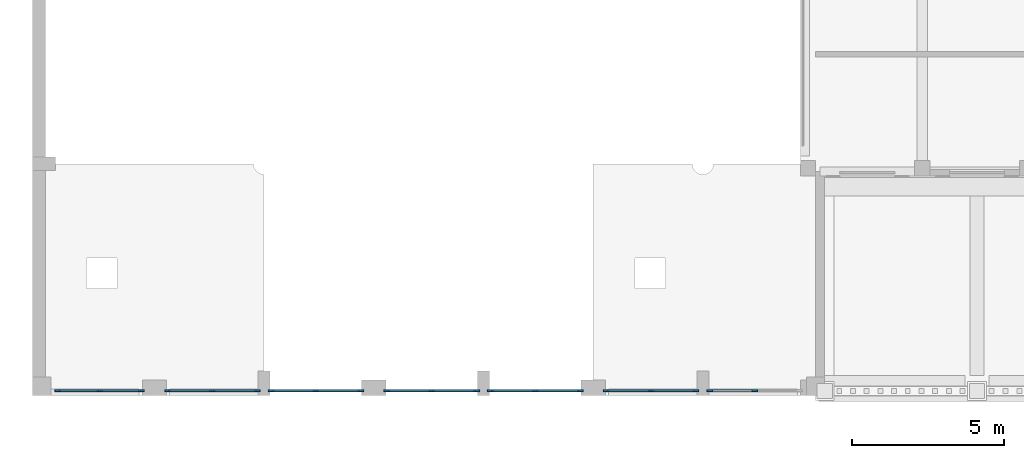
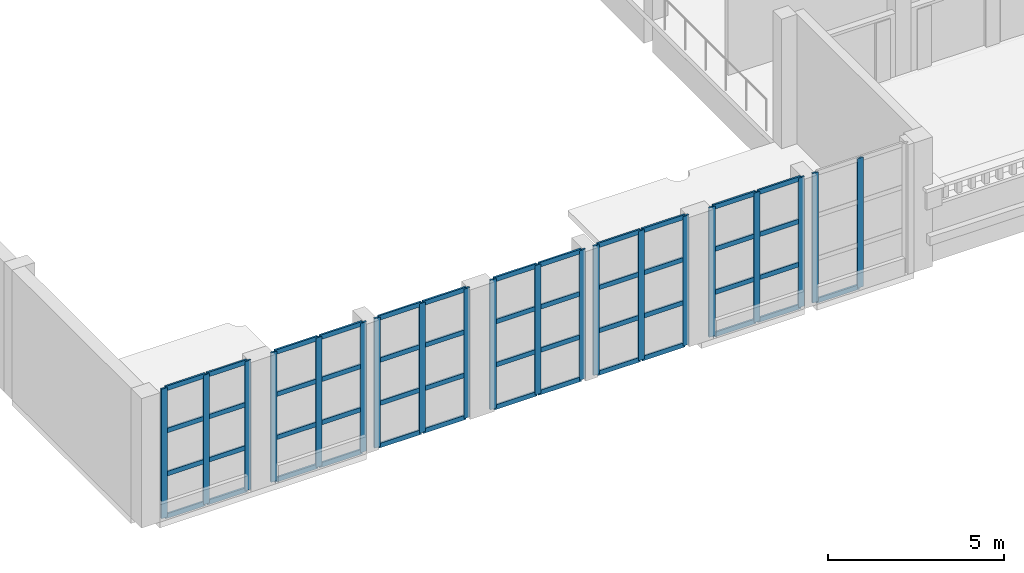
# One storey, part 3 of 58: 69 members, 7 elements without a shape of their own.
"""IFC4 building model written with IfcOpenShell, lengths in metres."""

from ifc_helpers import new_model, si_unit, direction, frame, origin, origin_2d, place, context, subcontext, project, spatial, rectangle, extrude, material, layer, layer_set, material_profile, profile_set, type_object, element, aggregate, save


model = new_model("IFC4")

# Units and contexts
model_context = context("Model", 3, precision=1e-05, world=origin(), true_north=direction((0.0, 1.0)))
body_context = subcontext(model_context, "Body", "Model", "MODEL_VIEW")
ifc_project = project(units=[si_unit("LENGTHUNIT", "METRE"), si_unit("AREAUNIT", "SQUARE_METRE"), si_unit("VOLUMEUNIT", "CUBIC_METRE"), si_unit("PLANEANGLEUNIT", "RADIAN"), si_unit("MASSUNIT", "GRAM", prefix="KILO")], contexts=[model_context])

# Site, building, storey
site_placement = place(None, origin())
site = spatial("IfcSite", under=ifc_project, at=site_placement, CompositionType="ELEMENT")
building_placement = place(site_placement, origin())
building = spatial("IfcBuilding", under=site, at=building_placement, Name="Ussher Court Research Institute", CompositionType="ELEMENT")
storey_placement = place(building_placement, frame((0.0, 0.0, 9.89990234375)))
storey = spatial("IfcBuildingStorey", under=building, at=storey_placement, Name="L02", CompositionType="ELEMENT", Elevation=9.89990234375)

# Curtain wall, members
ifc_material_1 = material(Name="Bronze anodised aluminium with low-e glass", Category="aluminium")
ifc_layer = layer(ifc_material_1, 0.159912109375)
ifc_layer_set = layer_set([ifc_layer], Name="Bronze anodised aluminium with low-e glass")
curtain_wall_type = type_object("IfcCurtainWallType", Name="Curtain wall lecture theatre gable glazing", PredefinedType="NOTDEFINED", material=ifc_layer_set)
curtain_wall_1_placement = place(storey_placement, origin())
curtain_wall_1 = element("IfcCurtainWall", 1, at=curtain_wall_1_placement, inside=storey, type_object=curtain_wall_type, Name="Curtain wall CW5 L02", PredefinedType="NOTDEFINED")
ifc_material_2 = material(Name="Bronze anodised aluminium", Category="aluminium")
ifc_material_profile_1 = material_profile(ifc_material_2, rectangle(XDim=0.06005859375, YDim=0.199951171875, at=origin_2d()), Name="Mullion 60x200")
ifc_profile_set_1 = profile_set([ifc_material_profile_1], Name="Bronze anodised aluminium")
member_type_1 = type_object("IfcMemberType", Name="Mullion 60x200", PredefinedType="MULLION", material=ifc_profile_set_1)
member_1_placement = place(storey_placement, frame((26.300048828125, 3.75, 0.0), z_axis=(0.0, 0.0, 1.0), x_axis=(0.0, -1.0, 0.0)))
member_1 = element("IfcMember", 2, at=member_1_placement, type_object=member_type_1, Name="CW5 mullion 2", PredefinedType="MULLION", context=body_context, shape_type="SweptSolid", body=[
    extrude(rectangle(XDim=0.06005859375, YDim=0.199951171875, at=origin_2d()), origin(), (0.0, 0.0, 1.0), 4.5),
])
member_2_placement = place(storey_placement, frame((24.830078125, 3.75, 0.0), z_axis=(0.0, 0.0, 1.0), x_axis=(0.0, -1.0, 0.0)))
member_2 = element("IfcMember", 3, at=member_2_placement, type_object=member_type_1, Name="CW5 mullion 3", PredefinedType="MULLION", context=body_context, shape_type="SweptSolid", body=[
    extrude(rectangle(XDim=0.06005859375, YDim=0.199951171875, at=origin_2d()), origin(), (0.0, 0.0, 1.0), 4.5),
])

curtain_wall_2_placement = place(storey_placement, origin())
curtain_wall_2 = element("IfcCurtainWall", 4, at=curtain_wall_2_placement, inside=storey, type_object=curtain_wall_type, Name="Curtain wall CW5 L02", PredefinedType="NOTDEFINED")
member_3_placement = place(storey_placement, frame((24.3701171875, 3.75, 0.0), z_axis=(0.0, 0.0, 1.0), x_axis=(0.0, -1.0, 0.0)))
member_3 = element("IfcMember", 5, at=member_3_placement, type_object=member_type_1, Name="CW5 mullion 1", PredefinedType="MULLION", context=body_context, shape_type="SweptSolid", body=[
    extrude(rectangle(XDim=0.06005859375, YDim=0.199951171875, at=origin_2d()), origin(), (0.0, 0.0, 1.0), 4.5),
])
member_4_placement = place(storey_placement, frame((22.89990234375, 3.75, 0.0), z_axis=(0.0, 0.0, 1.0), x_axis=(0.0, -1.0, 0.0)))
member_4 = element("IfcMember", 6, at=member_4_placement, type_object=member_type_1, Name="CW5 mullion 2", PredefinedType="MULLION", context=body_context, shape_type="SweptSolid", body=[
    extrude(rectangle(XDim=0.06005859375, YDim=0.199951171875, at=origin_2d()), origin(), (0.0, 0.0, 1.0), 4.5),
])
member_5_placement = place(storey_placement, frame((21.429931640625, 3.75, 0.0), z_axis=(0.0, 0.0, 1.0), x_axis=(0.0, -1.0, 0.0)))
member_5 = element("IfcMember", 7, at=member_5_placement, type_object=member_type_1, Name="CW5 mullion 3", PredefinedType="MULLION", context=body_context, shape_type="SweptSolid", body=[
    extrude(rectangle(XDim=0.06005859375, YDim=0.199951171875, at=origin_2d()), origin(), (0.0, 0.0, 1.0), 4.5),
])

curtain_wall_3_placement = place(storey_placement, origin())
curtain_wall_3 = element("IfcCurtainWall", 8, at=curtain_wall_3_placement, inside=storey, type_object=curtain_wall_type, Name="Curtain wall CW5 L02", PredefinedType="NOTDEFINED")
member_6_placement = place(storey_placement, frame((20.570068359375, 3.75, 0.0), z_axis=(0.0, 0.0, 1.0), x_axis=(0.0, -1.0, 0.0)))
member_6 = element("IfcMember", 9, at=member_6_placement, type_object=member_type_1, Name="CW5 mullion 1", PredefinedType="MULLION", context=body_context, shape_type="SweptSolid", body=[
    extrude(rectangle(XDim=0.06005859375, YDim=0.199951171875, at=origin_2d()), origin(), (0.0, 0.0, 1.0), 4.5),
])
member_7_placement = place(storey_placement, frame((19.10009765625, 3.75, 0.0), z_axis=(0.0, 0.0, 1.0), x_axis=(0.0, -1.0, 0.0)))
member_7 = element("IfcMember", 10, at=member_7_placement, type_object=member_type_1, Name="CW5 mullion 2", PredefinedType="MULLION", context=body_context, shape_type="SweptSolid", body=[
    extrude(rectangle(XDim=0.06005859375, YDim=0.199951171875, at=origin_2d()), origin(), (0.0, 0.0, 1.0), 4.5),
])
member_8_placement = place(storey_placement, frame((17.6298828125, 3.75, 0.0), z_axis=(0.0, 0.0, 1.0), x_axis=(0.0, -1.0, 0.0)))
member_8 = element("IfcMember", 11, at=member_8_placement, type_object=member_type_1, Name="CW5 mullion 3", PredefinedType="MULLION", context=body_context, shape_type="SweptSolid", body=[
    extrude(rectangle(XDim=0.06005859375, YDim=0.199951171875, at=origin_2d()), origin(), (0.0, 0.0, 1.0), 4.5),
])

curtain_wall_4_placement = place(storey_placement, origin())
curtain_wall_4 = element("IfcCurtainWall", 12, at=curtain_wall_4_placement, inside=storey, type_object=curtain_wall_type, Name="Curtain wall CW5 L02", PredefinedType="NOTDEFINED")
member_9_placement = place(storey_placement, frame((17.169921875, 3.75, 0.0), z_axis=(0.0, 0.0, 1.0), x_axis=(0.0, -1.0, 0.0)))
member_9 = element("IfcMember", 13, at=member_9_placement, type_object=member_type_1, Name="CW5 mullion 1", PredefinedType="MULLION", context=body_context, shape_type="SweptSolid", body=[
    extrude(rectangle(XDim=0.06005859375, YDim=0.199951171875, at=origin_2d()), origin(), (0.0, 0.0, 1.0), 4.5),
])
member_10_placement = place(storey_placement, frame((15.699951171875, 3.75, 0.0), z_axis=(0.0, 0.0, 1.0), x_axis=(0.0, -1.0, 0.0)))
member_10 = element("IfcMember", 14, at=member_10_placement, type_object=member_type_1, Name="CW5 mullion 2", PredefinedType="MULLION", context=body_context, shape_type="SweptSolid", body=[
    extrude(rectangle(XDim=0.06005859375, YDim=0.199951171875, at=origin_2d()), origin(), (0.0, 0.0, 1.0), 4.5),
])
member_11_placement = place(storey_placement, frame((14.22998046875, 3.75, 0.0), z_axis=(0.0, 0.0, 1.0), x_axis=(0.0, -1.0, 0.0)))
member_11 = element("IfcMember", 15, at=member_11_placement, type_object=member_type_1, Name="CW5 mullion 3", PredefinedType="MULLION", context=body_context, shape_type="SweptSolid", body=[
    extrude(rectangle(XDim=0.06005859375, YDim=0.199951171875, at=origin_2d()), origin(), (0.0, 0.0, 1.0), 4.5),
])

curtain_wall_5_placement = place(storey_placement, origin())
curtain_wall_5 = element("IfcCurtainWall", 16, at=curtain_wall_5_placement, inside=storey, type_object=curtain_wall_type, Name="Curtain wall CW5 L02", PredefinedType="NOTDEFINED")
member_12_placement = place(storey_placement, frame((13.3701171875, 3.75, 0.0), z_axis=(0.0, 0.0, 1.0), x_axis=(0.0, -1.0, 0.0)))
member_12 = element("IfcMember", 17, at=member_12_placement, type_object=member_type_1, Name="CW5 mullion 1", PredefinedType="MULLION", context=body_context, shape_type="SweptSolid", body=[
    extrude(rectangle(XDim=0.06005859375, YDim=0.199951171875, at=origin_2d()), origin(), (0.0, 0.0, 1.0), 4.5),
])
member_13_placement = place(storey_placement, frame((11.89990234375, 3.75, 0.0), z_axis=(0.0, 0.0, 1.0), x_axis=(0.0, -1.0, 0.0)))
member_13 = element("IfcMember", 18, at=member_13_placement, type_object=member_type_1, Name="CW5 mullion 2", PredefinedType="MULLION", context=body_context, shape_type="SweptSolid", body=[
    extrude(rectangle(XDim=0.06005859375, YDim=0.199951171875, at=origin_2d()), origin(), (0.0, 0.0, 1.0), 4.5),
])
member_14_placement = place(storey_placement, frame((10.429931640625, 3.75, 0.0), z_axis=(0.0, 0.0, 1.0), x_axis=(0.0, -1.0, 0.0)))
member_14 = element("IfcMember", 19, at=member_14_placement, type_object=member_type_1, Name="CW5 mullion 3", PredefinedType="MULLION", context=body_context, shape_type="SweptSolid", body=[
    extrude(rectangle(XDim=0.06005859375, YDim=0.199951171875, at=origin_2d()), origin(), (0.0, 0.0, 1.0), 4.5),
])

curtain_wall_6_placement = place(storey_placement, origin())
curtain_wall_6 = element("IfcCurtainWall", 20, at=curtain_wall_6_placement, inside=storey, type_object=curtain_wall_type, Name="Curtain wall CW5 L02", PredefinedType="NOTDEFINED")
member_15_placement = place(storey_placement, frame((9.969970703125, 3.75, 0.0), z_axis=(0.0, 0.0, 1.0), x_axis=(0.0, -1.0, 0.0)))
member_15 = element("IfcMember", 21, at=member_15_placement, type_object=member_type_1, Name="CW5 mullion 1", PredefinedType="MULLION", context=body_context, shape_type="SweptSolid", body=[
    extrude(rectangle(XDim=0.06005859375, YDim=0.199951171875, at=origin_2d()), origin(), (0.0, 0.0, 1.0), 4.5),
])
member_16_placement = place(storey_placement, frame((8.5, 3.75, 0.0), z_axis=(0.0, 0.0, 1.0), x_axis=(0.0, -1.0, 0.0)))
member_16 = element("IfcMember", 22, at=member_16_placement, type_object=member_type_1, Name="CW5 mullion 2", PredefinedType="MULLION", context=body_context, shape_type="SweptSolid", body=[
    extrude(rectangle(XDim=0.06005859375, YDim=0.199951171875, at=origin_2d()), origin(), (0.0, 0.0, 1.0), 4.5),
])
member_17_placement = place(storey_placement, frame((7.030029296875, 3.75, 0.0), z_axis=(0.0, 0.0, 1.0), x_axis=(0.0, -1.0, 0.0)))
member_17 = element("IfcMember", 23, at=member_17_placement, type_object=member_type_1, Name="CW5 mullion 3", PredefinedType="MULLION", context=body_context, shape_type="SweptSolid", body=[
    extrude(rectangle(XDim=0.06005859375, YDim=0.199951171875, at=origin_2d()), origin(), (0.0, 0.0, 1.0), 4.5),
])

curtain_wall_7_placement = place(storey_placement, origin())
curtain_wall_7 = element("IfcCurtainWall", 24, at=curtain_wall_7_placement, inside=storey, type_object=curtain_wall_type, Name="Curtain wall CW5 L02", PredefinedType="NOTDEFINED")
member_18_placement = place(storey_placement, frame((6.169921875, 3.75, 0.0), z_axis=(0.0, 0.0, 1.0), x_axis=(0.0, -1.0, 0.0)))
member_18 = element("IfcMember", 25, at=member_18_placement, type_object=member_type_1, Name="CW5 mullion 1", PredefinedType="MULLION", context=body_context, shape_type="SweptSolid", body=[
    extrude(rectangle(XDim=0.06005859375, YDim=0.199951171875, at=origin_2d()), origin(), (0.0, 0.0, 1.0), 4.5),
])
member_19_placement = place(storey_placement, frame((4.800048828125, 3.75, 0.0), z_axis=(0.0, 0.0, 1.0), x_axis=(0.0, -1.0, 0.0)))
member_19 = element("IfcMember", 26, at=member_19_placement, type_object=member_type_1, Name="CW5 mullion 2", PredefinedType="MULLION", context=body_context, shape_type="SweptSolid", body=[
    extrude(rectangle(XDim=0.06005859375, YDim=0.199951171875, at=origin_2d()), origin(), (0.0, 0.0, 1.0), 4.5),
])
member_20_placement = place(storey_placement, frame((3.429931640625, 3.75, 0.0), z_axis=(0.0, 0.0, 1.0), x_axis=(0.0, -1.0, 0.0)))
member_20 = element("IfcMember", 27, at=member_20_placement, type_object=member_type_1, Name="CW5 mullion 3", PredefinedType="MULLION", context=body_context, shape_type="SweptSolid", body=[
    extrude(rectangle(XDim=0.06005859375, YDim=0.199951171875, at=origin_2d()), origin(), (0.0, 0.0, 1.0), 4.5),
])

# Member
ifc_material_3 = material(Name="Bronze anodised aluminium", Category="aluminium")
ifc_material_profile_2 = material_profile(ifc_material_3, rectangle(XDim=0.06005859375, YDim=0.159912109375, at=origin_2d()), Name="Transom 60x160")
ifc_profile_set_2 = profile_set([ifc_material_profile_2], Name="Bronze anodised aluminium")
member_type_2 = type_object("IfcMemberType", Name="Transom 60x160", PredefinedType="USERDEFINED", material=ifc_profile_set_2)
member_21_placement = place(storey_placement, frame((26.27001953125, 3.75, 0.030029296875), z_axis=(-1.0, 0.0, 0.0), x_axis=(0.0, -1.0, 0.0)))
member_21 = element("IfcMember", 28, at=member_21_placement, type_object=member_type_2, Name="CW5 transom 2.1", ObjectType="TRANSOM", PredefinedType="USERDEFINED", context=body_context, shape_type="SweptSolid", body=[
    extrude(rectangle(XDim=0.06005859375, YDim=0.159912109375, at=origin_2d()), origin(), (0.0, 0.0, 1.0), 1.409912109375),
])

aggregate(curtain_wall_1, [member_1, member_2, member_21])

member_22_placement = place(storey_placement, frame((24.340087890625, 3.75, 0.030029296875), z_axis=(-1.0, 0.0, 0.0), x_axis=(0.0, -1.0, 0.0)))
member_22 = element("IfcMember", 29, at=member_22_placement, type_object=member_type_2, Name="CW5 transom 1.1", ObjectType="TRANSOM", PredefinedType="USERDEFINED", context=body_context, shape_type="SweptSolid", body=[
    extrude(rectangle(XDim=0.06005859375, YDim=0.159912109375, at=origin_2d()), origin(), (0.0, 0.0, 1.0), 1.41015625),
])

member_23_placement = place(storey_placement, frame((24.340087890625, 3.75, 1.5), z_axis=(-1.0, 0.0, 0.0), x_axis=(0.0, -1.0, 0.0)))
member_23 = element("IfcMember", 30, at=member_23_placement, type_object=member_type_2, Name="CW5 transom 1.2", ObjectType="TRANSOM", PredefinedType="USERDEFINED", context=body_context, shape_type="SweptSolid", body=[
    extrude(rectangle(XDim=0.06005859375, YDim=0.159912109375, at=origin_2d()), origin(), (0.0, 0.0, 1.0), 1.41015625),
])

member_24_placement = place(storey_placement, frame((24.340087890625, 3.75, 3.0), z_axis=(-1.0, 0.0, 0.0), x_axis=(0.0, -1.0, 0.0)))
member_24 = element("IfcMember", 31, at=member_24_placement, type_object=member_type_2, Name="CW5 transom 1.3", ObjectType="TRANSOM", PredefinedType="USERDEFINED", context=body_context, shape_type="SweptSolid", body=[
    extrude(rectangle(XDim=0.06005859375, YDim=0.159912109375, at=origin_2d()), origin(), (0.0, 0.0, 1.0), 1.41015625),
])

member_25_placement = place(storey_placement, frame((24.340087890625, 3.75, 4.47021484375), z_axis=(-1.0, 0.0, 0.0), x_axis=(0.0, -1.0, 0.0)))
member_25 = element("IfcMember", 32, at=member_25_placement, type_object=member_type_2, Name="CW5 transom 1.4", ObjectType="TRANSOM", PredefinedType="USERDEFINED", context=body_context, shape_type="SweptSolid", body=[
    extrude(rectangle(XDim=0.06005859375, YDim=0.159912109375, at=origin_2d()), origin(), (0.0, 0.0, 1.0), 1.41015625),
])

member_26_placement = place(storey_placement, frame((22.8701171875, 3.75, 0.030029296875), z_axis=(-1.0, 0.0, 0.0), x_axis=(0.0, -1.0, 0.0)))
member_26 = element("IfcMember", 33, at=member_26_placement, type_object=member_type_2, Name="CW5 transom 2.1", ObjectType="TRANSOM", PredefinedType="USERDEFINED", context=body_context, shape_type="SweptSolid", body=[
    extrude(rectangle(XDim=0.06005859375, YDim=0.159912109375, at=origin_2d()), origin(), (0.0, 0.0, 1.0), 1.41015625),
])

member_27_placement = place(storey_placement, frame((22.8701171875, 3.75, 1.5), z_axis=(-1.0, 0.0, 0.0), x_axis=(0.0, -1.0, 0.0)))
member_27 = element("IfcMember", 34, at=member_27_placement, type_object=member_type_2, Name="CW5 transom 2.2", ObjectType="TRANSOM", PredefinedType="USERDEFINED", context=body_context, shape_type="SweptSolid", body=[
    extrude(rectangle(XDim=0.06005859375, YDim=0.159912109375, at=origin_2d()), origin(), (0.0, 0.0, 1.0), 1.41015625),
])

member_28_placement = place(storey_placement, frame((22.8701171875, 3.75, 3.0), z_axis=(-1.0, 0.0, 0.0), x_axis=(0.0, -1.0, 0.0)))
member_28 = element("IfcMember", 35, at=member_28_placement, type_object=member_type_2, Name="CW5 transom 2.3", ObjectType="TRANSOM", PredefinedType="USERDEFINED", context=body_context, shape_type="SweptSolid", body=[
    extrude(rectangle(XDim=0.06005859375, YDim=0.159912109375, at=origin_2d()), origin(), (0.0, 0.0, 1.0), 1.41015625),
])

member_29_placement = place(storey_placement, frame((22.8701171875, 3.75, 4.47021484375), z_axis=(-1.0, 0.0, 0.0), x_axis=(0.0, -1.0, 0.0)))
member_29 = element("IfcMember", 36, at=member_29_placement, type_object=member_type_2, Name="CW5 transom 2.4", ObjectType="TRANSOM", PredefinedType="USERDEFINED", context=body_context, shape_type="SweptSolid", body=[
    extrude(rectangle(XDim=0.06005859375, YDim=0.159912109375, at=origin_2d()), origin(), (0.0, 0.0, 1.0), 1.41015625),
])

aggregate(curtain_wall_2, [member_3, member_4, member_5, member_22, member_23, member_24, member_25, member_26, member_27, member_28, member_29])

member_30_placement = place(storey_placement, frame((20.5400390625, 3.75, 0.030029296875), z_axis=(-1.0, 0.0, 0.0), x_axis=(0.0, -1.0, 0.0)))
member_30 = element("IfcMember", 37, at=member_30_placement, type_object=member_type_2, Name="CW5 transom 1.1", ObjectType="TRANSOM", PredefinedType="USERDEFINED", context=body_context, shape_type="SweptSolid", body=[
    extrude(rectangle(XDim=0.06005859375, YDim=0.159912109375, at=origin_2d()), origin(), (0.0, 0.0, 1.0), 1.41015625),
])

member_31_placement = place(storey_placement, frame((20.5400390625, 3.75, 1.5), z_axis=(-1.0, 0.0, 0.0), x_axis=(0.0, -1.0, 0.0)))
member_31 = element("IfcMember", 38, at=member_31_placement, type_object=member_type_2, Name="CW5 transom 1.2", ObjectType="TRANSOM", PredefinedType="USERDEFINED", context=body_context, shape_type="SweptSolid", body=[
    extrude(rectangle(XDim=0.06005859375, YDim=0.159912109375, at=origin_2d()), origin(), (0.0, 0.0, 1.0), 1.41015625),
])

member_32_placement = place(storey_placement, frame((20.5400390625, 3.75, 3.0), z_axis=(-1.0, 0.0, 0.0), x_axis=(0.0, -1.0, 0.0)))
member_32 = element("IfcMember", 39, at=member_32_placement, type_object=member_type_2, Name="CW5 transom 1.3", ObjectType="TRANSOM", PredefinedType="USERDEFINED", context=body_context, shape_type="SweptSolid", body=[
    extrude(rectangle(XDim=0.06005859375, YDim=0.159912109375, at=origin_2d()), origin(), (0.0, 0.0, 1.0), 1.41015625),
])

member_33_placement = place(storey_placement, frame((20.5400390625, 3.75, 4.47021484375), z_axis=(-1.0, 0.0, 0.0), x_axis=(0.0, -1.0, 0.0)))
member_33 = element("IfcMember", 40, at=member_33_placement, type_object=member_type_2, Name="CW5 transom 1.4", ObjectType="TRANSOM", PredefinedType="USERDEFINED", context=body_context, shape_type="SweptSolid", body=[
    extrude(rectangle(XDim=0.06005859375, YDim=0.159912109375, at=origin_2d()), origin(), (0.0, 0.0, 1.0), 1.41015625),
])

member_34_placement = place(storey_placement, frame((19.070068359375, 3.75, 0.030029296875), z_axis=(-1.0, 0.0, 0.0), x_axis=(0.0, -1.0, 0.0)))
member_34 = element("IfcMember", 41, at=member_34_placement, type_object=member_type_2, Name="CW5 transom 2.1", ObjectType="TRANSOM", PredefinedType="USERDEFINED", context=body_context, shape_type="SweptSolid", body=[
    extrude(rectangle(XDim=0.06005859375, YDim=0.159912109375, at=origin_2d()), origin(), (0.0, 0.0, 1.0), 1.41015625),
])

member_35_placement = place(storey_placement, frame((19.070068359375, 3.75, 1.5), z_axis=(-1.0, 0.0, 0.0), x_axis=(0.0, -1.0, 0.0)))
member_35 = element("IfcMember", 42, at=member_35_placement, type_object=member_type_2, Name="CW5 transom 2.2", ObjectType="TRANSOM", PredefinedType="USERDEFINED", context=body_context, shape_type="SweptSolid", body=[
    extrude(rectangle(XDim=0.06005859375, YDim=0.159912109375, at=origin_2d()), origin(), (0.0, 0.0, 1.0), 1.41015625),
])

member_36_placement = place(storey_placement, frame((19.070068359375, 3.75, 3.0), z_axis=(-1.0, 0.0, 0.0), x_axis=(0.0, -1.0, 0.0)))
member_36 = element("IfcMember", 43, at=member_36_placement, type_object=member_type_2, Name="CW5 transom 2.3", ObjectType="TRANSOM", PredefinedType="USERDEFINED", context=body_context, shape_type="SweptSolid", body=[
    extrude(rectangle(XDim=0.06005859375, YDim=0.159912109375, at=origin_2d()), origin(), (0.0, 0.0, 1.0), 1.41015625),
])

member_37_placement = place(storey_placement, frame((19.070068359375, 3.75, 4.47021484375), z_axis=(-1.0, 0.0, 0.0), x_axis=(0.0, -1.0, 0.0)))
member_37 = element("IfcMember", 44, at=member_37_placement, type_object=member_type_2, Name="CW5 transom 2.4", ObjectType="TRANSOM", PredefinedType="USERDEFINED", context=body_context, shape_type="SweptSolid", body=[
    extrude(rectangle(XDim=0.06005859375, YDim=0.159912109375, at=origin_2d()), origin(), (0.0, 0.0, 1.0), 1.41015625),
])

aggregate(curtain_wall_3, [member_6, member_7, member_8, member_30, member_31, member_32, member_33, member_34, member_35, member_36, member_37])

member_38_placement = place(storey_placement, frame((17.139892578125, 3.75, 0.030029296875), z_axis=(-1.0, 0.0, 0.0), x_axis=(0.0, -1.0, 0.0)))
member_38 = element("IfcMember", 45, at=member_38_placement, type_object=member_type_2, Name="CW5 transom 1.1", ObjectType="TRANSOM", PredefinedType="USERDEFINED", context=body_context, shape_type="SweptSolid", body=[
    extrude(rectangle(XDim=0.06005859375, YDim=0.159912109375, at=origin_2d()), origin(), (0.0, 0.0, 1.0), 1.409912109375),
])

member_39_placement = place(storey_placement, frame((17.139892578125, 3.75, 1.5), z_axis=(-1.0, 0.0, 0.0), x_axis=(0.0, -1.0, 0.0)))
member_39 = element("IfcMember", 46, at=member_39_placement, type_object=member_type_2, Name="CW5 transom 1.2", ObjectType="TRANSOM", PredefinedType="USERDEFINED", context=body_context, shape_type="SweptSolid", body=[
    extrude(rectangle(XDim=0.06005859375, YDim=0.159912109375, at=origin_2d()), origin(), (0.0, 0.0, 1.0), 1.409912109375),
])

member_40_placement = place(storey_placement, frame((17.139892578125, 3.75, 3.0), z_axis=(-1.0, 0.0, 0.0), x_axis=(0.0, -1.0, 0.0)))
member_40 = element("IfcMember", 47, at=member_40_placement, type_object=member_type_2, Name="CW5 transom 1.3", ObjectType="TRANSOM", PredefinedType="USERDEFINED", context=body_context, shape_type="SweptSolid", body=[
    extrude(rectangle(XDim=0.06005859375, YDim=0.159912109375, at=origin_2d()), origin(), (0.0, 0.0, 1.0), 1.409912109375),
])

member_41_placement = place(storey_placement, frame((17.139892578125, 3.75, 4.47021484375), z_axis=(-1.0, 0.0, 0.0), x_axis=(0.0, -1.0, 0.0)))
member_41 = element("IfcMember", 48, at=member_41_placement, type_object=member_type_2, Name="CW5 transom 1.4", ObjectType="TRANSOM", PredefinedType="USERDEFINED", context=body_context, shape_type="SweptSolid", body=[
    extrude(rectangle(XDim=0.06005859375, YDim=0.159912109375, at=origin_2d()), origin(), (0.0, 0.0, 1.0), 1.409912109375),
])

member_42_placement = place(storey_placement, frame((15.669921875, 3.75, 0.030029296875), z_axis=(-1.0, 0.0, 0.0), x_axis=(0.0, -1.0, 0.0)))
member_42 = element("IfcMember", 49, at=member_42_placement, type_object=member_type_2, Name="CW5 transom 2.1", ObjectType="TRANSOM", PredefinedType="USERDEFINED", context=body_context, shape_type="SweptSolid", body=[
    extrude(rectangle(XDim=0.06005859375, YDim=0.159912109375, at=origin_2d()), origin(), (0.0, 0.0, 1.0), 1.409912109375),
])

member_43_placement = place(storey_placement, frame((15.669921875, 3.75, 1.5), z_axis=(-1.0, 0.0, 0.0), x_axis=(0.0, -1.0, 0.0)))
member_43 = element("IfcMember", 50, at=member_43_placement, type_object=member_type_2, Name="CW5 transom 2.2", ObjectType="TRANSOM", PredefinedType="USERDEFINED", context=body_context, shape_type="SweptSolid", body=[
    extrude(rectangle(XDim=0.06005859375, YDim=0.159912109375, at=origin_2d()), origin(), (0.0, 0.0, 1.0), 1.409912109375),
])

member_44_placement = place(storey_placement, frame((15.669921875, 3.75, 3.0), z_axis=(-1.0, 0.0, 0.0), x_axis=(0.0, -1.0, 0.0)))
member_44 = element("IfcMember", 51, at=member_44_placement, type_object=member_type_2, Name="CW5 transom 2.3", ObjectType="TRANSOM", PredefinedType="USERDEFINED", context=body_context, shape_type="SweptSolid", body=[
    extrude(rectangle(XDim=0.06005859375, YDim=0.159912109375, at=origin_2d()), origin(), (0.0, 0.0, 1.0), 1.409912109375),
])

member_45_placement = place(storey_placement, frame((15.669921875, 3.75, 4.47021484375), z_axis=(-1.0, 0.0, 0.0), x_axis=(0.0, -1.0, 0.0)))
member_45 = element("IfcMember", 52, at=member_45_placement, type_object=member_type_2, Name="CW5 transom 2.4", ObjectType="TRANSOM", PredefinedType="USERDEFINED", context=body_context, shape_type="SweptSolid", body=[
    extrude(rectangle(XDim=0.06005859375, YDim=0.159912109375, at=origin_2d()), origin(), (0.0, 0.0, 1.0), 1.409912109375),
])

aggregate(curtain_wall_4, [member_9, member_10, member_11, member_38, member_39, member_40, member_41, member_42, member_43, member_44, member_45])

member_46_placement = place(storey_placement, frame((13.340087890625, 3.75, 0.030029296875), z_axis=(-1.0, 0.0, 0.0), x_axis=(0.0, -1.0, 0.0)))
member_46 = element("IfcMember", 53, at=member_46_placement, type_object=member_type_2, Name="CW5 transom 1.1", ObjectType="TRANSOM", PredefinedType="USERDEFINED", context=body_context, shape_type="SweptSolid", body=[
    extrude(rectangle(XDim=0.06005859375, YDim=0.159912109375, at=origin_2d()), origin(), (0.0, 0.0, 1.0), 1.41015625),
])

member_47_placement = place(storey_placement, frame((13.340087890625, 3.75, 1.5), z_axis=(-1.0, 0.0, 0.0), x_axis=(0.0, -1.0, 0.0)))
member_47 = element("IfcMember", 54, at=member_47_placement, type_object=member_type_2, Name="CW5 transom 1.2", ObjectType="TRANSOM", PredefinedType="USERDEFINED", context=body_context, shape_type="SweptSolid", body=[
    extrude(rectangle(XDim=0.06005859375, YDim=0.159912109375, at=origin_2d()), origin(), (0.0, 0.0, 1.0), 1.41015625),
])

member_48_placement = place(storey_placement, frame((13.340087890625, 3.75, 3.0), z_axis=(-1.0, 0.0, 0.0), x_axis=(0.0, -1.0, 0.0)))
member_48 = element("IfcMember", 55, at=member_48_placement, type_object=member_type_2, Name="CW5 transom 1.3", ObjectType="TRANSOM", PredefinedType="USERDEFINED", context=body_context, shape_type="SweptSolid", body=[
    extrude(rectangle(XDim=0.06005859375, YDim=0.159912109375, at=origin_2d()), origin(), (0.0, 0.0, 1.0), 1.41015625),
])

member_49_placement = place(storey_placement, frame((13.340087890625, 3.75, 4.47021484375), z_axis=(-1.0, 0.0, 0.0), x_axis=(0.0, -1.0, 0.0)))
member_49 = element("IfcMember", 56, at=member_49_placement, type_object=member_type_2, Name="CW5 transom 1.4", ObjectType="TRANSOM", PredefinedType="USERDEFINED", context=body_context, shape_type="SweptSolid", body=[
    extrude(rectangle(XDim=0.06005859375, YDim=0.159912109375, at=origin_2d()), origin(), (0.0, 0.0, 1.0), 1.41015625),
])

member_50_placement = place(storey_placement, frame((11.8701171875, 3.75, 0.030029296875), z_axis=(-1.0, 0.0, 0.0), x_axis=(0.0, -1.0, 0.0)))
member_50 = element("IfcMember", 57, at=member_50_placement, type_object=member_type_2, Name="CW5 transom 2.1", ObjectType="TRANSOM", PredefinedType="USERDEFINED", context=body_context, shape_type="SweptSolid", body=[
    extrude(rectangle(XDim=0.06005859375, YDim=0.159912109375, at=origin_2d()), origin(), (0.0, 0.0, 1.0), 1.41015625),
])

member_51_placement = place(storey_placement, frame((11.8701171875, 3.75, 1.5), z_axis=(-1.0, 0.0, 0.0), x_axis=(0.0, -1.0, 0.0)))
member_51 = element("IfcMember", 58, at=member_51_placement, type_object=member_type_2, Name="CW5 transom 2.2", ObjectType="TRANSOM", PredefinedType="USERDEFINED", context=body_context, shape_type="SweptSolid", body=[
    extrude(rectangle(XDim=0.06005859375, YDim=0.159912109375, at=origin_2d()), origin(), (0.0, 0.0, 1.0), 1.41015625),
])

member_52_placement = place(storey_placement, frame((11.8701171875, 3.75, 3.0), z_axis=(-1.0, 0.0, 0.0), x_axis=(0.0, -1.0, 0.0)))
member_52 = element("IfcMember", 59, at=member_52_placement, type_object=member_type_2, Name="CW5 transom 2.3", ObjectType="TRANSOM", PredefinedType="USERDEFINED", context=body_context, shape_type="SweptSolid", body=[
    extrude(rectangle(XDim=0.06005859375, YDim=0.159912109375, at=origin_2d()), origin(), (0.0, 0.0, 1.0), 1.41015625),
])

member_53_placement = place(storey_placement, frame((11.8701171875, 3.75, 4.47021484375), z_axis=(-1.0, 0.0, 0.0), x_axis=(0.0, -1.0, 0.0)))
member_53 = element("IfcMember", 60, at=member_53_placement, type_object=member_type_2, Name="CW5 transom 2.4", ObjectType="TRANSOM", PredefinedType="USERDEFINED", context=body_context, shape_type="SweptSolid", body=[
    extrude(rectangle(XDim=0.06005859375, YDim=0.159912109375, at=origin_2d()), origin(), (0.0, 0.0, 1.0), 1.41015625),
])

aggregate(curtain_wall_5, [member_12, member_13, member_14, member_46, member_47, member_48, member_49, member_50, member_51, member_52, member_53])

member_54_placement = place(storey_placement, frame((9.93994140625, 3.75, 0.030029296875), z_axis=(-1.0, 0.0, 0.0), x_axis=(0.0, -1.0, 0.0)))
member_54 = element("IfcMember", 61, at=member_54_placement, type_object=member_type_2, Name="CW5 transom 1.1", ObjectType="TRANSOM", PredefinedType="USERDEFINED", context=body_context, shape_type="SweptSolid", body=[
    extrude(rectangle(XDim=0.06005859375, YDim=0.159912109375, at=origin_2d()), origin(), (0.0, 0.0, 1.0), 1.409912109375),
])

member_55_placement = place(storey_placement, frame((9.93994140625, 3.75, 1.5), z_axis=(-1.0, 0.0, 0.0), x_axis=(0.0, -1.0, 0.0)))
member_55 = element("IfcMember", 62, at=member_55_placement, type_object=member_type_2, Name="CW5 transom 1.2", ObjectType="TRANSOM", PredefinedType="USERDEFINED", context=body_context, shape_type="SweptSolid", body=[
    extrude(rectangle(XDim=0.06005859375, YDim=0.159912109375, at=origin_2d()), origin(), (0.0, 0.0, 1.0), 1.409912109375),
])

member_56_placement = place(storey_placement, frame((9.93994140625, 3.75, 3.0), z_axis=(-1.0, 0.0, 0.0), x_axis=(0.0, -1.0, 0.0)))
member_56 = element("IfcMember", 63, at=member_56_placement, type_object=member_type_2, Name="CW5 transom 1.3", ObjectType="TRANSOM", PredefinedType="USERDEFINED", context=body_context, shape_type="SweptSolid", body=[
    extrude(rectangle(XDim=0.06005859375, YDim=0.159912109375, at=origin_2d()), origin(), (0.0, 0.0, 1.0), 1.409912109375),
])

member_57_placement = place(storey_placement, frame((9.93994140625, 3.75, 4.47021484375), z_axis=(-1.0, 0.0, 0.0), x_axis=(0.0, -1.0, 0.0)))
member_57 = element("IfcMember", 64, at=member_57_placement, type_object=member_type_2, Name="CW5 transom 1.4", ObjectType="TRANSOM", PredefinedType="USERDEFINED", context=body_context, shape_type="SweptSolid", body=[
    extrude(rectangle(XDim=0.06005859375, YDim=0.159912109375, at=origin_2d()), origin(), (0.0, 0.0, 1.0), 1.409912109375),
])

member_58_placement = place(storey_placement, frame((8.469970703125, 3.75, 0.030029296875), z_axis=(-1.0, 0.0, 0.0), x_axis=(0.0, -1.0, 0.0)))
member_58 = element("IfcMember", 65, at=member_58_placement, type_object=member_type_2, Name="CW5 transom 2.1", ObjectType="TRANSOM", PredefinedType="USERDEFINED", context=body_context, shape_type="SweptSolid", body=[
    extrude(rectangle(XDim=0.06005859375, YDim=0.159912109375, at=origin_2d()), origin(), (0.0, 0.0, 1.0), 1.409912109375),
])

member_59_placement = place(storey_placement, frame((8.469970703125, 3.75, 1.5), z_axis=(-1.0, 0.0, 0.0), x_axis=(0.0, -1.0, 0.0)))
member_59 = element("IfcMember", 66, at=member_59_placement, type_object=member_type_2, Name="CW5 transom 2.2", ObjectType="TRANSOM", PredefinedType="USERDEFINED", context=body_context, shape_type="SweptSolid", body=[
    extrude(rectangle(XDim=0.06005859375, YDim=0.159912109375, at=origin_2d()), origin(), (0.0, 0.0, 1.0), 1.409912109375),
])

member_60_placement = place(storey_placement, frame((8.469970703125, 3.75, 3.0), z_axis=(-1.0, 0.0, 0.0), x_axis=(0.0, -1.0, 0.0)))
member_60 = element("IfcMember", 67, at=member_60_placement, type_object=member_type_2, Name="CW5 transom 2.3", ObjectType="TRANSOM", PredefinedType="USERDEFINED", context=body_context, shape_type="SweptSolid", body=[
    extrude(rectangle(XDim=0.06005859375, YDim=0.159912109375, at=origin_2d()), origin(), (0.0, 0.0, 1.0), 1.409912109375),
])

member_61_placement = place(storey_placement, frame((8.469970703125, 3.75, 4.47021484375), z_axis=(-1.0, 0.0, 0.0), x_axis=(0.0, -1.0, 0.0)))
member_61 = element("IfcMember", 68, at=member_61_placement, type_object=member_type_2, Name="CW5 transom 2.4", ObjectType="TRANSOM", PredefinedType="USERDEFINED", context=body_context, shape_type="SweptSolid", body=[
    extrude(rectangle(XDim=0.06005859375, YDim=0.159912109375, at=origin_2d()), origin(), (0.0, 0.0, 1.0), 1.409912109375),
])

aggregate(curtain_wall_6, [member_15, member_16, member_17, member_54, member_55, member_56, member_57, member_58, member_59, member_60, member_61])

member_62_placement = place(storey_placement, frame((6.139892578125, 3.75, 0.030029296875), z_axis=(-1.0, 0.0, 0.0), x_axis=(0.0, -1.0, 0.0)))
member_62 = element("IfcMember", 69, at=member_62_placement, type_object=member_type_2, Name="CW5 transom 1.1", ObjectType="TRANSOM", PredefinedType="USERDEFINED", context=body_context, shape_type="SweptSolid", body=[
    extrude(rectangle(XDim=0.06005859375, YDim=0.159912109375, at=origin_2d()), origin(), (0.0, 0.0, 1.0), 1.309814453125),
])

member_63_placement = place(storey_placement, frame((6.139892578125, 3.75, 1.5), z_axis=(-1.0, 0.0, 0.0), x_axis=(0.0, -1.0, 0.0)))
member_63 = element("IfcMember", 70, at=member_63_placement, type_object=member_type_2, Name="CW5 transom 1.2", ObjectType="TRANSOM", PredefinedType="USERDEFINED", context=body_context, shape_type="SweptSolid", body=[
    extrude(rectangle(XDim=0.06005859375, YDim=0.159912109375, at=origin_2d()), origin(), (0.0, 0.0, 1.0), 1.309814453125),
])

member_64_placement = place(storey_placement, frame((6.139892578125, 3.75, 3.0), z_axis=(-1.0, 0.0, 0.0), x_axis=(0.0, -1.0, 0.0)))
member_64 = element("IfcMember", 71, at=member_64_placement, type_object=member_type_2, Name="CW5 transom 1.3", ObjectType="TRANSOM", PredefinedType="USERDEFINED", context=body_context, shape_type="SweptSolid", body=[
    extrude(rectangle(XDim=0.06005859375, YDim=0.159912109375, at=origin_2d()), origin(), (0.0, 0.0, 1.0), 1.309814453125),
])

member_65_placement = place(storey_placement, frame((6.139892578125, 3.75, 4.47021484375), z_axis=(-1.0, 0.0, 0.0), x_axis=(0.0, -1.0, 0.0)))
member_65 = element("IfcMember", 72, at=member_65_placement, type_object=member_type_2, Name="CW5 transom 1.4", ObjectType="TRANSOM", PredefinedType="USERDEFINED", context=body_context, shape_type="SweptSolid", body=[
    extrude(rectangle(XDim=0.06005859375, YDim=0.159912109375, at=origin_2d()), origin(), (0.0, 0.0, 1.0), 1.309814453125),
])

member_66_placement = place(storey_placement, frame((4.77001953125, 3.75, 0.030029296875), z_axis=(-1.0, 0.0, 0.0), x_axis=(0.0, -1.0, 0.0)))
member_66 = element("IfcMember", 73, at=member_66_placement, type_object=member_type_2, Name="CW5 transom 2.1", ObjectType="TRANSOM", PredefinedType="USERDEFINED", context=body_context, shape_type="SweptSolid", body=[
    extrude(rectangle(XDim=0.06005859375, YDim=0.159912109375, at=origin_2d()), origin(), (0.0, 0.0, 1.0), 1.31005859375),
])

member_67_placement = place(storey_placement, frame((4.77001953125, 3.75, 1.5), z_axis=(-1.0, 0.0, 0.0), x_axis=(0.0, -1.0, 0.0)))
member_67 = element("IfcMember", 74, at=member_67_placement, type_object=member_type_2, Name="CW5 transom 2.2", ObjectType="TRANSOM", PredefinedType="USERDEFINED", context=body_context, shape_type="SweptSolid", body=[
    extrude(rectangle(XDim=0.06005859375, YDim=0.159912109375, at=origin_2d()), origin(), (0.0, 0.0, 1.0), 1.31005859375),
])

member_68_placement = place(storey_placement, frame((4.77001953125, 3.75, 3.0), z_axis=(-1.0, 0.0, 0.0), x_axis=(0.0, -1.0, 0.0)))
member_68 = element("IfcMember", 75, at=member_68_placement, type_object=member_type_2, Name="CW5 transom 2.3", ObjectType="TRANSOM", PredefinedType="USERDEFINED", context=body_context, shape_type="SweptSolid", body=[
    extrude(rectangle(XDim=0.06005859375, YDim=0.159912109375, at=origin_2d()), origin(), (0.0, 0.0, 1.0), 1.31005859375),
])

member_69_placement = place(storey_placement, frame((4.77001953125, 3.75, 4.47021484375), z_axis=(-1.0, 0.0, 0.0), x_axis=(0.0, -1.0, 0.0)))
member_69 = element("IfcMember", 76, at=member_69_placement, type_object=member_type_2, Name="CW5 transom 2.4", ObjectType="TRANSOM", PredefinedType="USERDEFINED", context=body_context, shape_type="SweptSolid", body=[
    extrude(rectangle(XDim=0.06005859375, YDim=0.159912109375, at=origin_2d()), origin(), (0.0, 0.0, 1.0), 1.31005859375),
])

aggregate(curtain_wall_7, [member_18, member_19, member_20, member_62, member_63, member_64, member_65, member_66, member_67, member_68, member_69])

save(model, "model.ifc")
